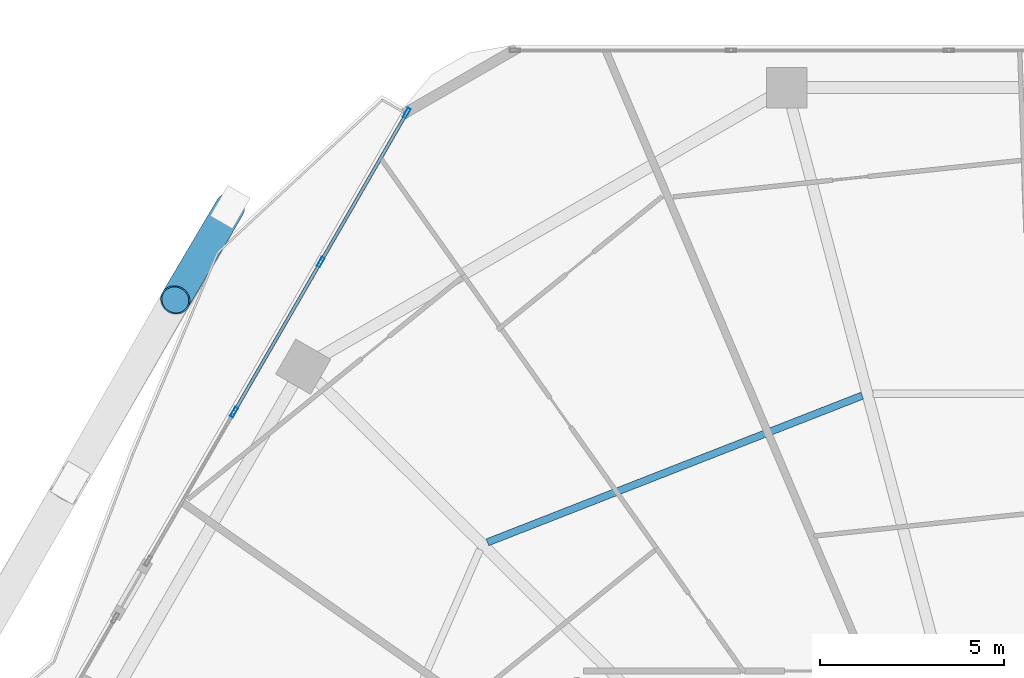
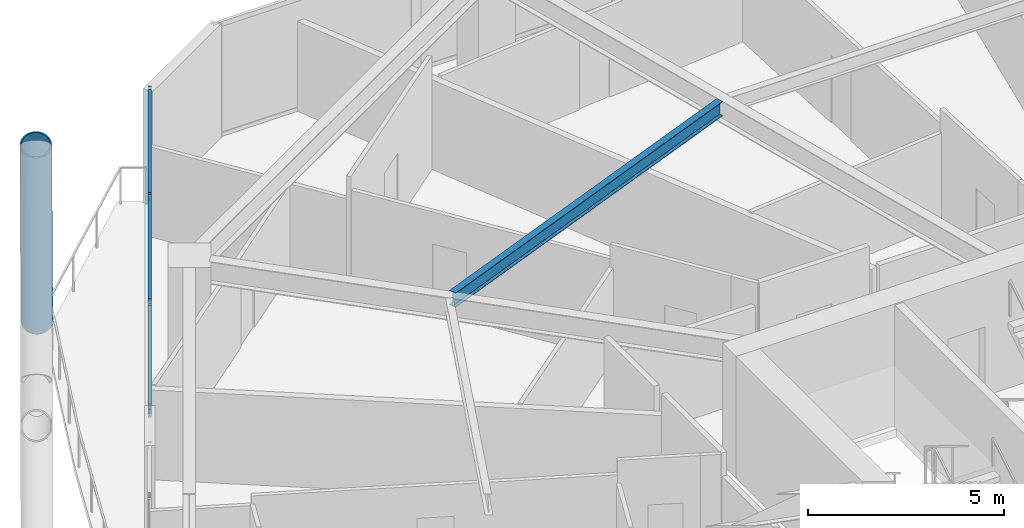
# One storey, part 18 of 36: 8 members, 1 beam, 1 element without a shape of its own.
"""IFC4 building model written with IfcOpenShell, lengths in metres."""

from ifc_helpers import new_model, si_unit, direction, frame, origin, origin_2d, place, context, subcontext, project, spatial, hollow_rectangle, hollow_circle, i_section, extrude, material, material_profile, profile_set, type_object, element, aggregate, save


model = new_model("IFC4")

# Units and contexts
model_context = context("Model", 3, precision=1e-05, world=origin(), true_north=direction((0.0, 1.0)))
body_context = subcontext(model_context, "Body", "Model", "MODEL_VIEW")
ifc_project = project(units=[si_unit("LENGTHUNIT", "METRE"), si_unit("AREAUNIT", "SQUARE_METRE"), si_unit("VOLUMEUNIT", "CUBIC_METRE"), si_unit("PLANEANGLEUNIT", "RADIAN"), si_unit("MASSUNIT", "GRAM", prefix="KILO")], contexts=[model_context])

# Site, building, storey
site_placement = place(None, origin())
site = spatial("IfcSite", under=ifc_project, at=site_placement, CompositionType="ELEMENT")
building_placement = place(site_placement, origin())
building = spatial("IfcBuilding", under=site, at=building_placement, Name="Zuhravey Tower", CompositionType="ELEMENT")
storey_placement = place(building_placement, frame((0.0, 0.0, 107.60009765625)))
storey = spatial("IfcBuildingStorey", under=building, at=storey_placement, Name="L26", CompositionType="ELEMENT", Elevation=107.60009765625)

# Curtain wall, members
ifc_material_1 = material(Name="Thermally broken anodised aluminium", Category="aluminium")
curtain_wall_type = type_object("IfcCurtainWallType", Name="Zone 1-2 Residential Curtain Wall CW3", PredefinedType="NOTDEFINED", material=ifc_material_1)
curtain_wall_placement = place(storey_placement, origin())
curtain_wall = element("IfcCurtainWall", 1, at=curtain_wall_placement, inside=storey, type_object=curtain_wall_type, Name="L26 CW3 CW-L26-F3-2", PredefinedType="NOTDEFINED")
ifc_material_2 = material(Name="Anodised aluminium", Category="aluminium")
ifc_material_profile_1 = material_profile(ifc_material_2, hollow_rectangle(XDim=0.090087890625, YDim=0.284912109375, WallThickness=0.0048828125, at=origin_2d()), Name="ALU-RHS-90x285x5")
ifc_profile_set_1 = profile_set([ifc_material_profile_1], Name="Anodised aluminium")
member_type_1 = type_object("IfcMemberType", Name="Curtain-Wall Mullion 90x180", PredefinedType="MULLION", material=ifc_profile_set_1)
member_1_placement = place(storey_placement, frame((13.599853515625, 51.118896484375, 0.0), z_axis=(0.0, 0.0, 1.0), x_axis=(-0.866023797519, 0.500002782124, 0.0)))
member_1 = element("IfcMember", 2, at=member_1_placement, type_object=member_type_1, Name="CW3 mullion 2", PredefinedType="MULLION", context=body_context, shape_type="SweptSolid", body=[
    extrude(hollow_rectangle(XDim=0.090087890625, YDim=0.284912109375, WallThickness=0.0048828125, at=origin_2d()), origin(), (0.0, 0.0, 1.0), 3.5498046875),
])
member_2_placement = place(storey_placement, frame((15.96044921875, 55.20751953125, 0.0), z_axis=(0.0, 0.0, 1.0), x_axis=(-0.866023797519, 0.500002782124, 0.0)))
member_2 = element("IfcMember", 3, at=member_2_placement, type_object=member_type_1, Name="CW3 mullion 3", PredefinedType="MULLION", context=body_context, shape_type="SweptSolid", body=[
    extrude(hollow_rectangle(XDim=0.090087890625, YDim=0.284912109375, WallThickness=0.0048828125, at=origin_2d()), origin(), (0.0, 0.0, 1.0), 3.5498046875),
])
member_3_placement = place(storey_placement, frame((18.298583984375, 59.257080078125, 0.0), z_axis=(0.0, 0.0, 1.0), x_axis=(-0.866023797519, 0.500002782124, 0.0)))
member_3 = element("IfcMember", 4, at=member_3_placement, type_object=member_type_1, Name="CW3 mullion 4", PredefinedType="MULLION", context=body_context, shape_type="SweptSolid", body=[
    extrude(hollow_rectangle(XDim=0.090087890625, YDim=0.284912109375, WallThickness=0.0048828125, at=origin_2d()), origin(), (0.0, 0.0, 1.0), 3.5498046875),
])
ifc_material_profile_2 = material_profile(ifc_material_2, hollow_rectangle(XDim=0.090087890625, YDim=0.14990234375, WallThickness=0.0048828125, at=origin_2d()), Name="ALU-RHS-90x150x5")
ifc_profile_set_2 = profile_set([ifc_material_profile_2], Name="Anodised aluminium")
member_type_2 = type_object("IfcMemberType", Name="Curtain-Wall Transom 90x150", PredefinedType="USERDEFINED", material=ifc_profile_set_2)
member_4_placement = place(storey_placement, frame((13.622314453125, 51.157958984375, 0.044921875), z_axis=(0.500034284827, 0.866005608525, 0.0), x_axis=(-0.866005608525, 0.500034284827, 0.0)))
member_4 = element("IfcMember", 5, at=member_4_placement, type_object=member_type_2, Name="CW3 transom 2.1", ObjectType="TRANSOM", PredefinedType="USERDEFINED", context=body_context, shape_type="SweptSolid", body=[
    extrude(hollow_rectangle(XDim=0.090087890625, YDim=0.14990234375, WallThickness=0.0048828125, at=origin_2d()), origin(), (0.0, 0.0, 1.0), 4.631103515625),
])
member_5_placement = place(storey_placement, frame((13.622314453125, 51.157958984375, 3.5048828125), z_axis=(0.500034284827, 0.866005608525, 0.0), x_axis=(-0.866005608525, 0.500034284827, 0.0)))
member_5 = element("IfcMember", 6, at=member_5_placement, type_object=member_type_2, Name="CW3 transom 2.2", ObjectType="TRANSOM", PredefinedType="USERDEFINED", context=body_context, shape_type="SweptSolid", body=[
    extrude(hollow_rectangle(XDim=0.090087890625, YDim=0.14990234375, WallThickness=0.0048828125, at=origin_2d()), origin(), (0.0, 0.0, 1.0), 4.631103515625),
])
member_6_placement = place(storey_placement, frame((15.98291015625, 55.246337890625, 0.044921875), z_axis=(0.499986657325, 0.866033107044, 0.0), x_axis=(-0.866033107044, 0.499986657325, 0.0)))
member_6 = element("IfcMember", 7, at=member_6_placement, type_object=member_type_2, Name="CW3 transom 3.1", ObjectType="TRANSOM", PredefinedType="USERDEFINED", context=body_context, shape_type="SweptSolid", body=[
    extrude(hollow_rectangle(XDim=0.090087890625, YDim=0.14990234375, WallThickness=0.0048828125, at=origin_2d()), origin(), (0.0, 0.0, 1.0), 4.586181640625),
])
member_7_placement = place(storey_placement, frame((15.98291015625, 55.246337890625, 3.5048828125), z_axis=(0.499986657325, 0.866033107044, 0.0), x_axis=(-0.866033107044, 0.499986657325, 0.0)))
member_7 = element("IfcMember", 8, at=member_7_placement, type_object=member_type_2, Name="CW3 transom 3.2", ObjectType="TRANSOM", PredefinedType="USERDEFINED", context=body_context, shape_type="SweptSolid", body=[
    extrude(hollow_rectangle(XDim=0.090087890625, YDim=0.14990234375, WallThickness=0.0048828125, at=origin_2d()), origin(), (0.0, 0.0, 1.0), 4.586181640625),
])
aggregate(curtain_wall, [member_1, member_2, member_3, member_4, member_5, member_6, member_7])

# Member
ifc_material_3 = material(Name="Steel SM460", Category="steel")
ifc_material_profile_3 = material_profile(ifc_material_3, hollow_circle(Radius=0.406494140625, WallThickness=0.035888671875, at=origin_2d()), Name="CHS-812.8x36")
ifc_profile_set_3 = profile_set([ifc_material_profile_3], Name="Steel SM460")
member_type_3 = type_object("IfcMemberType", Name="Exoskeleton Zone 1 Diagrid CHS813x36", PredefinedType="BRACE", material=ifc_profile_set_3)
member_8_placement = place(storey_placement, frame((13.4912109375, 56.690673828125, -0.442138671875), z_axis=(-0.183732280177, -0.310880561966, 0.932521166201), x_axis=(0.860889982927, -0.508791152926, 0.0)))
element("IfcMember", 9, at=member_8_placement, inside=storey, type_object=member_type_3, Name="L26 Face 3 Diagrid Brace 1", PredefinedType="BRACE", context=body_context, shape_type="SweptSolid", body=[
    extrude(hollow_circle(Radius=0.406494140625, WallThickness=0.035888671875, at=origin_2d()), origin(), (0.0, 0.0, 1.0), 8.10302734375),
])

# Beam
ifc_material_4 = material(Name="Steel SM355", Category="steel")
ifc_material_profile_4 = material_profile(ifc_material_4, i_section(OverallWidth=0.199951171875, OverallDepth=0.449951171875, WebThickness=0.009033203125, FlangeThickness=0.013916015625, at=origin_2d()), Name="H-450x200x9x14")
ifc_profile_set_4 = profile_set([ifc_material_profile_4], Name="Steel SM355")
beam_type = type_object("IfcBeamType", Name="Secondary Floor Joist H450x200", PredefinedType="JOIST", material=ifc_profile_set_4)
beam_placement = place(storey_placement, frame((30.681640625, 51.568359375, 3.324951171875), z_axis=(-0.931216764731, -0.364465824302, 0.0), x_axis=(0.364465824302, -0.931216764731, 0.0)))
element("IfcBeam", 10, at=beam_placement, inside=storey, type_object=beam_type, Name="L26 SJ1 BM-L26-SJ-04-1", PredefinedType="JOIST", context=body_context, shape_type="SweptSolid", body=[
    extrude(i_section(OverallWidth=0.199951171875, OverallDepth=0.449951171875, WebThickness=0.009033203125, FlangeThickness=0.013916015625, at=origin_2d()), origin(), (0.0, 0.0, 1.0), 10.939453125),
])

save(model, "model.ifc")
